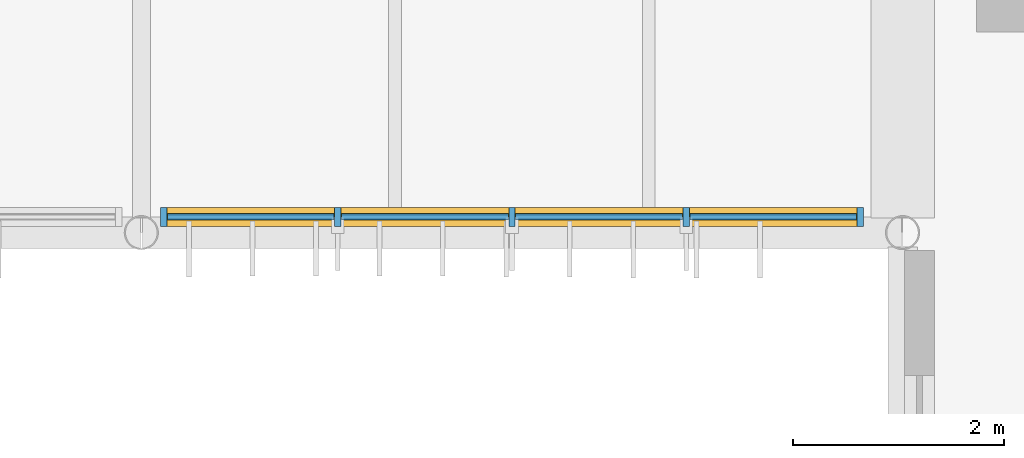
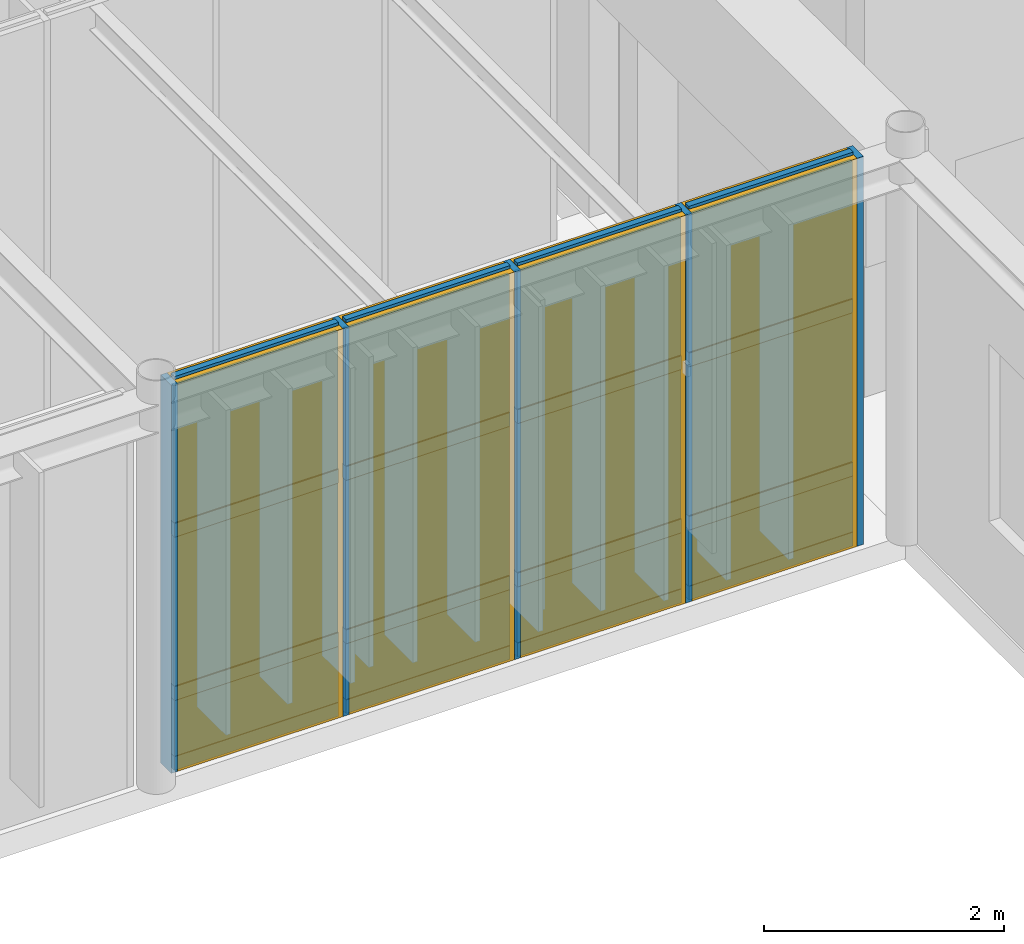
# One storey, part 76 of 122: 21 members, 12 plates, 1 curtain wall.
"""IFC4 building model written with IfcOpenShell, lengths in metres."""

import ifcopenshell
import ifcopenshell.guid

model = None  # the IFC model being written
_history = None  # IfcOwnerHistory: only IFC2X3 demands one
_inside = {}  # id of a spatial element -> (the spatial element, [elements in it])
_under = {}  # id of a project, library or spatial element -> (it, [spatial elements below it])
_declared = {}  # id of a project -> (the project, [libraries it declares])
_typed = {}  # id of a type object -> (the type object, [elements of that type])
_made_of = {}  # id of a material, layer set ... -> (it, [elements and type objects made of it])


def new_model(schema):
    """Start an empty IFC model of exactly this schema.

    Asked for "IFC4X3", IfcOpenShell would pick the latest addendum, in which some entities
    have other attributes; the version numbers below select the first issue.
    IFC2X3 requires an IfcOwnerHistory on every rooted entity: one is made here for all.
    """
    global model, _history
    if schema == "IFC4X3":
        model = ifcopenshell.file(schema_version=(4, 3, 0, 0))
    else:
        model = ifcopenshell.file(schema=schema)
    _inside.clear()
    _under.clear()
    _declared.clear()
    _typed.clear()
    _made_of.clear()
    _history = None
    if model.schema == "IFC2X3":
        org = make("IfcOrganization", Name="unknown")
        user = make(
            "IfcPersonAndOrganization",
            ThePerson=make("IfcPerson", FamilyName="unknown"),
            TheOrganization=org,
        )
        app = make(
            "IfcApplication",
            ApplicationDeveloper=org,
            Version="unknown",
            ApplicationFullName="unknown",
            ApplicationIdentifier="unknown",
        )
        _history = make(
            "IfcOwnerHistory",
            OwningUser=user,
            OwningApplication=app,
            ChangeAction="ADDED",
            CreationDate=0,
        )
    return model


def make(cls, **values):
    """One entity of the class cls with the attributes given. An attribute that is None is left unset."""
    return model.create_entity(
        cls, **{name: value for name, value in values.items() if value is not None}
    )


def rooted(cls, **values):
    """An entity with a GlobalId (a new one), such as an element, a storey or a relation."""
    return make(cls, GlobalId=ifcopenshell.guid.new(), OwnerHistory=_history, **values)


def si_unit(unit_type, name, prefix=None):
    """IfcSIUnit, for example si_unit("LENGTHUNIT", "METRE", prefix="MILLI")."""
    return make("IfcSIUnit", UnitType=unit_type, Prefix=prefix, Name=name)


def assignment(units):
    """IfcUnitAssignment: the units of a project."""
    return None if units is None else make("IfcUnitAssignment", Units=units)


def point(xyz):
    """IfcCartesianPoint."""
    return None if xyz is None else make("IfcCartesianPoint", Coordinates=xyz)


def direction(xyz):
    """IfcDirection."""
    return None if xyz is None else make("IfcDirection", DirectionRatios=xyz)


def frame(location, z_axis=None, x_axis=None):
    """IfcAxis2Placement3D, a coordinate frame: its origin and axes. An axis left out is left unset."""
    return make(
        "IfcAxis2Placement3D",
        Location=point(location),
        Axis=direction(z_axis),
        RefDirection=direction(x_axis),
    )


def frame_2d(location, x_axis=None):
    """IfcAxis2Placement2D, a coordinate frame in the plane: its origin and x axis."""
    return make(
        "IfcAxis2Placement2D", Location=point(location), RefDirection=direction(x_axis)
    )


def origin():
    """The frame at (0, 0, 0) with its axes left unset."""
    return frame((0.0, 0.0, 0.0))


def origin_2d():
    """The frame at (0, 0) in the plane with its x axis left unset."""
    return frame_2d((0.0, 0.0))


def place(relative_to, where):
    """IfcLocalPlacement: puts the frame where relative to a parent placement (None: the world)."""
    return make(
        "IfcLocalPlacement", PlacementRelTo=relative_to, RelativePlacement=where
    )


def context(
    kind, dimensions, precision=None, world=None, true_north=None, identifier=None
):
    """IfcGeometricRepresentationContext, for example the 3D "Model" context."""
    return make(
        "IfcGeometricRepresentationContext",
        ContextIdentifier=identifier,
        ContextType=kind,
        CoordinateSpaceDimension=dimensions,
        Precision=precision,
        WorldCoordinateSystem=world,
        TrueNorth=true_north,
    )


def subcontext(parent, identifier, kind, view, scale=None):
    """IfcGeometricRepresentationSubContext, for example "Body" below "Model"."""
    return make(
        "IfcGeometricRepresentationSubContext",
        ContextIdentifier=identifier,
        ContextType=kind,
        ParentContext=parent,
        TargetScale=scale,
        TargetView=view,
    )


def project(units=None, contexts=None):
    """IfcProject with its units and contexts."""
    return rooted(
        "IfcProject",
        Name="project",
        RepresentationContexts=contexts,
        UnitsInContext=assignment(units),
    )


def spatial(cls, under=None, at=None, **own):
    """A site, building, storey or space (cls), placed at a placement, below another one or the project."""
    s = rooted(cls, ObjectPlacement=at, **own)
    if under is not None:
        _under.setdefault(under.id(), (under, []))[1].append(s)
    return s


def profile(cls, at=None, kind="AREA", **sizes):
    """A parametric profile (cls). Its sizes go by their IFC names, for example OverallWidth=200.0."""
    return make(cls, ProfileType=kind, Position=at, **sizes)


def rectangle(**sizes):
    """IfcRectangleProfileDef."""
    return profile("IfcRectangleProfileDef", **sizes)


def extrude(swept, where, along, depth):
    """IfcExtrudedAreaSolid: the profile swept, set in the frame where, extruded along a direction by depth."""
    return make(
        "IfcExtrudedAreaSolid",
        SweptArea=swept,
        Position=where,
        ExtrudedDirection=direction(along),
        Depth=depth,
    )


def shape(context_of_items, identifier, shape_type, items):
    """IfcShapeRepresentation: the items that make up one representation, for example the "Body"."""
    return make(
        "IfcShapeRepresentation",
        ContextOfItems=context_of_items,
        RepresentationIdentifier=identifier,
        RepresentationType=shape_type,
        Items=items,
    )


def material(Name=None, Category=None):
    """IfcMaterial."""
    return make("IfcMaterial", Name=Name, Category=Category)


def layer(
    of_material, thickness, ventilated=None, Name=None, Category=None, Priority=None
):
    """IfcMaterialLayer: one layer of a wall or slab, of a material (None: an air gap)."""
    return make(
        "IfcMaterialLayer",
        Material=of_material,
        LayerThickness=thickness,
        IsVentilated=ventilated,
        Name=Name,
        Category=Category,
        Priority=Priority,
    )


def layer_set(layers, Name=None):
    """IfcMaterialLayerSet."""
    return make("IfcMaterialLayerSet", MaterialLayers=layers, LayerSetName=Name)


def material_profile(
    of_material, cross_section, Name=None, Category=None, Priority=None
):
    """IfcMaterialProfile: a cross section and its material."""
    return make(
        "IfcMaterialProfile",
        Name=Name,
        Material=of_material,
        Profile=cross_section,
        Priority=Priority,
        Category=Category,
    )


def profile_set(profiles, Name=None, composite=None):
    """IfcMaterialProfileSet."""
    return make(
        "IfcMaterialProfileSet",
        Name=Name,
        MaterialProfiles=profiles,
        CompositeProfile=composite,
    )


def made_of(thing, what):
    """Note that an element or type object is made of a material, layer set ...; save() writes the relation."""
    if what is not None:
        _made_of.setdefault(what.id(), (what, []))[1].append(thing)
    return thing


def type_object(cls, material=None, **own):
    """A type object (cls), such as IfcWallType, which elements share."""
    return made_of(rooted(cls, **own), material)


def element(
    cls,
    number,
    at=None,
    inside=None,
    cuts=None,
    type_object=None,
    material=None,
    context=None,
    identifier="Body",
    shape_type=None,
    held_by="IfcProductDefinitionShape",
    body=None,
    shapes=None,
    **own,
):
    """One element of the class cls, such as IfcWall. Its Tag is "e" and its number.

    at: its placement. inside: the storey or other place that contains it. cuts: it is an
    opening in that element (IfcRelVoidsElement). A single representation is given by context,
    identifier, shape_type and body (its items); several are given by shapes. held_by: the class
    of the entity that holds the representations. save() writes the other relations.
    """
    e = rooted(cls, Tag="e%d" % number, ObjectPlacement=at, **own)
    if body is not None:
        shapes = [shape(context, identifier, shape_type, body)]
    if shapes is not None:
        e.Representation = make(held_by, Representations=shapes)
    if inside is not None:
        _inside.setdefault(inside.id(), (inside, []))[1].append(e)
    if cuts is not None:
        rooted(
            "IfcRelVoidsElement", RelatingBuildingElement=cuts, RelatedOpeningElement=e
        )
    if type_object is not None:
        _typed.setdefault(type_object.id(), (type_object, []))[1].append(e)
    return made_of(e, material)


def aggregate(whole, parts):
    """IfcRelAggregates: a whole, such as a stair, and the parts it consists of."""
    return rooted("IfcRelAggregates", RelatingObject=whole, RelatedObjects=parts)


def save(model, path):
    """Write the relations noted so far, then the file.

    IfcRelAggregates (storeys below a building ...), IfcRelContainedInSpatialStructure (elements
    in a storey), IfcRelDefinesByType, IfcRelAssociatesMaterial and IfcRelDeclares: one each for
    every whole, place, type object, material and project.
    """
    for whole, parts in _under.values():
        aggregate(whole, parts)
    for where, things in _inside.values():
        rooted(
            "IfcRelContainedInSpatialStructure",
            RelatedElements=things,
            RelatingStructure=where,
        )
    for kind, things in _typed.values():
        rooted("IfcRelDefinesByType", RelatedObjects=things, RelatingType=kind)
    for what, things in _made_of.values():
        rooted("IfcRelAssociatesMaterial", RelatedObjects=things, RelatingMaterial=what)
    for by, libraries in _declared.values():
        rooted("IfcRelDeclares", RelatingContext=by, RelatedDefinitions=libraries)
    model.write(path)


model = new_model("IFC4")

# Units and contexts
model_context = context("Model", 3, precision=1e-05, world=origin(), true_north=direction((0.0, 1.0)))
body_context = subcontext(model_context, "Body", "Model", "MODEL_VIEW")
ifc_project = project(units=[si_unit("LENGTHUNIT", "METRE"), si_unit("AREAUNIT", "SQUARE_METRE"), si_unit("VOLUMEUNIT", "CUBIC_METRE"), si_unit("PLANEANGLEUNIT", "RADIAN"), si_unit("MASSUNIT", "GRAM", prefix="KILO")], contexts=[model_context])

# Member
ifc_material_1 = material(Name="Anodised Bronze Aluminium 6063-T6", Category="aluminium")
ifc_material_profile_1 = material_profile(ifc_material_1, rectangle(XDim=0.06005859375, YDim=0.179931640625, at=origin_2d()), Name="ALU MULLION 60x180")
ifc_profile_set_1 = profile_set([ifc_material_profile_1], Name="Anodised Bronze Aluminium 6063-T6")
member_type_1 = type_object("IfcMemberType", Name="Curtain-Wall Primary Mullion 60x180", PredefinedType="MULLION", material=ifc_profile_set_1)
site_placement = place(None, origin())
building_placement = place(site_placement, origin())
storey_placement = place(building_placement, frame((0.0, 0.0, 4.800048828125)))
member_1_placement = place(storey_placement, frame((50.612060546875, 44.75, 0.0), z_axis=(0.0, 0.0, 1.0), x_axis=(1.0, 0.0, 0.0)))
member_1 = element("IfcMember", 1, at=member_1_placement, type_object=member_type_1, Name="Mullion CWM-01 CW-WLNK-S-L01-B4-M01", PredefinedType="MULLION", context=body_context, shape_type="SweptSolid", body=[
    extrude(rectangle(XDim=0.06005859375, YDim=0.179931640625, at=origin_2d()), origin(), (0.0, 0.0, 1.0), 3.93994140625),
])

member_2_placement = place(storey_placement, frame((52.259033203125, 44.75, 0.0), z_axis=(0.0, 0.0, 1.0), x_axis=(1.0, 0.0, 0.0)))
member_2 = element("IfcMember", 2, at=member_2_placement, type_object=member_type_1, Name="Mullion CWM-01 CW-WLNK-S-L01-B4-M02", PredefinedType="MULLION", context=body_context, shape_type="SweptSolid", body=[
    extrude(rectangle(XDim=0.06005859375, YDim=0.179931640625, at=origin_2d()), origin(), (0.0, 0.0, 1.0), 3.93994140625),
])

member_3_placement = place(storey_placement, frame((53.906005859375, 44.75, 0.0), z_axis=(0.0, 0.0, 1.0), x_axis=(1.0, 0.0, 0.0)))
member_3 = element("IfcMember", 3, at=member_3_placement, type_object=member_type_1, Name="Mullion CWM-01 CW-WLNK-S-L01-B4-M03", PredefinedType="MULLION", context=body_context, shape_type="SweptSolid", body=[
    extrude(rectangle(XDim=0.06005859375, YDim=0.179931640625, at=origin_2d()), origin(), (0.0, 0.0, 1.0), 3.93994140625),
])

member_4_placement = place(storey_placement, frame((55.552978515625, 44.75, 0.0), z_axis=(0.0, 0.0, 1.0), x_axis=(1.0, 0.0, 0.0)))
member_4 = element("IfcMember", 4, at=member_4_placement, type_object=member_type_1, Name="Mullion CWM-01 CW-WLNK-S-L01-B4-M04", PredefinedType="MULLION", context=body_context, shape_type="SweptSolid", body=[
    extrude(rectangle(XDim=0.06005859375, YDim=0.179931640625, at=origin_2d()), origin(), (0.0, 0.0, 1.0), 3.93994140625),
])

member_5_placement = place(storey_placement, frame((57.199951171875, 44.75, 0.0), z_axis=(0.0, 0.0, 1.0), x_axis=(1.0, 0.0, 0.0)))
member_5 = element("IfcMember", 5, at=member_5_placement, type_object=member_type_1, Name="Mullion CWM-01 CW-WLNK-S-L01-B4-M05", PredefinedType="MULLION", context=body_context, shape_type="SweptSolid", body=[
    extrude(rectangle(XDim=0.06005859375, YDim=0.179931640625, at=origin_2d()), origin(), (0.0, 0.0, 1.0), 3.93994140625),
])

ifc_material_profile_2 = material_profile(ifc_material_1, rectangle(XDim=0.06005859375, YDim=0.139892578125, at=origin_2d()), Name="ALU TRANSOM 60x140")
ifc_profile_set_2 = profile_set([ifc_material_profile_2], Name="Anodised Bronze Aluminium 6063-T6")
member_type_2 = type_object("IfcMemberType", Name="Curtain-Wall Transom 60x140", PredefinedType="USERDEFINED", material=ifc_profile_set_2)
member_6_placement = place(storey_placement, frame((50.64697265625, 44.75, 0.0400390625), z_axis=(1.0, 0.0, 0.0), x_axis=(0.0, 1.0, 0.0)))
member_6 = element("IfcMember", 6, at=member_6_placement, type_object=member_type_2, Name="Transom CWT-01 CW-WLNK-S-L01-B4-T01.1", ObjectType="TRANSOM", PredefinedType="USERDEFINED", context=body_context, shape_type="SweptSolid", body=[
    extrude(rectangle(XDim=0.06005859375, YDim=0.139892578125, at=origin_2d()), origin(), (0.0, 0.0, 1.0), 1.5771484375),
])

member_7_placement = place(storey_placement, frame((50.64697265625, 44.75, 0.75), z_axis=(1.0, 0.0, 0.0), x_axis=(0.0, 1.0, 0.0)))
member_7 = element("IfcMember", 7, at=member_7_placement, type_object=member_type_2, Name="Transom CWT-01 CW-WLNK-S-L01-B4-T01.2", ObjectType="TRANSOM", PredefinedType="USERDEFINED", context=body_context, shape_type="SweptSolid", body=[
    extrude(rectangle(XDim=0.06005859375, YDim=0.139892578125, at=origin_2d()), origin(), (0.0, 0.0, 1.0), 1.5771484375),
])

member_8_placement = place(storey_placement, frame((50.64697265625, 44.75, 2.40869140625), z_axis=(1.0, 0.0, 0.0), x_axis=(0.0, 1.0, 0.0)))
member_8 = element("IfcMember", 8, at=member_8_placement, type_object=member_type_2, Name="Transom CWT-01 CW-WLNK-S-L01-B4-T01.3", ObjectType="TRANSOM", PredefinedType="USERDEFINED", context=body_context, shape_type="SweptSolid", body=[
    extrude(rectangle(XDim=0.06005859375, YDim=0.139892578125, at=origin_2d()), origin(), (0.0, 0.0, 1.0), 1.5771484375),
])

member_9_placement = place(storey_placement, frame((50.64697265625, 44.75, 3.89990234375), z_axis=(1.0, 0.0, 0.0), x_axis=(0.0, 1.0, 0.0)))
member_9 = element("IfcMember", 9, at=member_9_placement, type_object=member_type_2, Name="Transom CWT-01 CW-WLNK-S-L01-B4-T01.4", ObjectType="TRANSOM", PredefinedType="USERDEFINED", context=body_context, shape_type="SweptSolid", body=[
    extrude(rectangle(XDim=0.06005859375, YDim=0.139892578125, at=origin_2d()), origin(), (0.0, 0.0, 1.0), 1.5771484375),
])

member_10_placement = place(storey_placement, frame((52.2939453125, 44.75, 0.0400390625), z_axis=(1.0, 0.0, 0.0), x_axis=(0.0, 1.0, 0.0)))
member_10 = element("IfcMember", 10, at=member_10_placement, type_object=member_type_2, Name="Transom CWT-01 CW-WLNK-S-L01-B4-T02.1", ObjectType="TRANSOM", PredefinedType="USERDEFINED", context=body_context, shape_type="SweptSolid", body=[
    extrude(rectangle(XDim=0.06005859375, YDim=0.139892578125, at=origin_2d()), origin(), (0.0, 0.0, 1.0), 1.5771484375),
])

member_11_placement = place(storey_placement, frame((52.2939453125, 44.75, 0.75), z_axis=(1.0, 0.0, 0.0), x_axis=(0.0, 1.0, 0.0)))
member_11 = element("IfcMember", 11, at=member_11_placement, type_object=member_type_2, Name="Transom CWT-01 CW-WLNK-S-L01-B4-T02.2", ObjectType="TRANSOM", PredefinedType="USERDEFINED", context=body_context, shape_type="SweptSolid", body=[
    extrude(rectangle(XDim=0.06005859375, YDim=0.139892578125, at=origin_2d()), origin(), (0.0, 0.0, 1.0), 1.5771484375),
])

member_12_placement = place(storey_placement, frame((52.2939453125, 44.75, 2.40869140625), z_axis=(1.0, 0.0, 0.0), x_axis=(0.0, 1.0, 0.0)))
member_12 = element("IfcMember", 12, at=member_12_placement, type_object=member_type_2, Name="Transom CWT-01 CW-WLNK-S-L01-B4-T02.3", ObjectType="TRANSOM", PredefinedType="USERDEFINED", context=body_context, shape_type="SweptSolid", body=[
    extrude(rectangle(XDim=0.06005859375, YDim=0.139892578125, at=origin_2d()), origin(), (0.0, 0.0, 1.0), 1.5771484375),
])

member_13_placement = place(storey_placement, frame((52.2939453125, 44.75, 3.89990234375), z_axis=(1.0, 0.0, 0.0), x_axis=(0.0, 1.0, 0.0)))
member_13 = element("IfcMember", 13, at=member_13_placement, type_object=member_type_2, Name="Transom CWT-01 CW-WLNK-S-L01-B4-T02.4", ObjectType="TRANSOM", PredefinedType="USERDEFINED", context=body_context, shape_type="SweptSolid", body=[
    extrude(rectangle(XDim=0.06005859375, YDim=0.139892578125, at=origin_2d()), origin(), (0.0, 0.0, 1.0), 1.5771484375),
])

member_14_placement = place(storey_placement, frame((53.94091796875, 44.75, 0.0400390625), z_axis=(1.0, 0.0, 0.0), x_axis=(0.0, 1.0, 0.0)))
member_14 = element("IfcMember", 14, at=member_14_placement, type_object=member_type_2, Name="Transom CWT-01 CW-WLNK-S-L01-B4-T03.1", ObjectType="TRANSOM", PredefinedType="USERDEFINED", context=body_context, shape_type="SweptSolid", body=[
    extrude(rectangle(XDim=0.06005859375, YDim=0.139892578125, at=origin_2d()), origin(), (0.0, 0.0, 1.0), 1.5771484375),
])

member_15_placement = place(storey_placement, frame((53.94091796875, 44.75, 0.75), z_axis=(1.0, 0.0, 0.0), x_axis=(0.0, 1.0, 0.0)))
member_15 = element("IfcMember", 15, at=member_15_placement, type_object=member_type_2, Name="Transom CWT-01 CW-WLNK-S-L01-B4-T03.2", ObjectType="TRANSOM", PredefinedType="USERDEFINED", context=body_context, shape_type="SweptSolid", body=[
    extrude(rectangle(XDim=0.06005859375, YDim=0.139892578125, at=origin_2d()), origin(), (0.0, 0.0, 1.0), 1.5771484375),
])

member_16_placement = place(storey_placement, frame((53.94091796875, 44.75, 2.40869140625), z_axis=(1.0, 0.0, 0.0), x_axis=(0.0, 1.0, 0.0)))
member_16 = element("IfcMember", 16, at=member_16_placement, type_object=member_type_2, Name="Transom CWT-01 CW-WLNK-S-L01-B4-T03.3", ObjectType="TRANSOM", PredefinedType="USERDEFINED", context=body_context, shape_type="SweptSolid", body=[
    extrude(rectangle(XDim=0.06005859375, YDim=0.139892578125, at=origin_2d()), origin(), (0.0, 0.0, 1.0), 1.5771484375),
])

member_17_placement = place(storey_placement, frame((53.94091796875, 44.75, 3.89990234375), z_axis=(1.0, 0.0, 0.0), x_axis=(0.0, 1.0, 0.0)))
member_17 = element("IfcMember", 17, at=member_17_placement, type_object=member_type_2, Name="Transom CWT-01 CW-WLNK-S-L01-B4-T03.4", ObjectType="TRANSOM", PredefinedType="USERDEFINED", context=body_context, shape_type="SweptSolid", body=[
    extrude(rectangle(XDim=0.06005859375, YDim=0.139892578125, at=origin_2d()), origin(), (0.0, 0.0, 1.0), 1.5771484375),
])

member_18_placement = place(storey_placement, frame((55.587890625, 44.75, 0.0400390625), z_axis=(1.0, 0.0, 0.0), x_axis=(0.0, 1.0, 0.0)))
member_18 = element("IfcMember", 18, at=member_18_placement, type_object=member_type_2, Name="Transom CWT-01 CW-WLNK-S-L01-B4-T04.1", ObjectType="TRANSOM", PredefinedType="USERDEFINED", context=body_context, shape_type="SweptSolid", body=[
    extrude(rectangle(XDim=0.06005859375, YDim=0.139892578125, at=origin_2d()), origin(), (0.0, 0.0, 1.0), 1.5771484375),
])

member_19_placement = place(storey_placement, frame((55.587890625, 44.75, 0.75), z_axis=(1.0, 0.0, 0.0), x_axis=(0.0, 1.0, 0.0)))
member_19 = element("IfcMember", 19, at=member_19_placement, type_object=member_type_2, Name="Transom CWT-01 CW-WLNK-S-L01-B4-T04.2", ObjectType="TRANSOM", PredefinedType="USERDEFINED", context=body_context, shape_type="SweptSolid", body=[
    extrude(rectangle(XDim=0.06005859375, YDim=0.139892578125, at=origin_2d()), origin(), (0.0, 0.0, 1.0), 1.5771484375),
])

member_20_placement = place(storey_placement, frame((55.587890625, 44.75, 2.40869140625), z_axis=(1.0, 0.0, 0.0), x_axis=(0.0, 1.0, 0.0)))
member_20 = element("IfcMember", 20, at=member_20_placement, type_object=member_type_2, Name="Transom CWT-01 CW-WLNK-S-L01-B4-T04.3", ObjectType="TRANSOM", PredefinedType="USERDEFINED", context=body_context, shape_type="SweptSolid", body=[
    extrude(rectangle(XDim=0.06005859375, YDim=0.139892578125, at=origin_2d()), origin(), (0.0, 0.0, 1.0), 1.5771484375),
])

member_21_placement = place(storey_placement, frame((55.587890625, 44.75, 3.89990234375), z_axis=(1.0, 0.0, 0.0), x_axis=(0.0, 1.0, 0.0)))
member_21 = element("IfcMember", 21, at=member_21_placement, type_object=member_type_2, Name="Transom CWT-01 CW-WLNK-S-L01-B4-T04.4", ObjectType="TRANSOM", PredefinedType="USERDEFINED", context=body_context, shape_type="SweptSolid", body=[
    extrude(rectangle(XDim=0.06005859375, YDim=0.139892578125, at=origin_2d()), origin(), (0.0, 0.0, 1.0), 1.5771484375),
])

# Plate
ifc_material_2 = material(Name="Insulated Bronze Aluminium Spandrel Panel", Category="aluminium")
ifc_layer_1 = layer(ifc_material_2, 0.050048828125, Name="Insulated Bronze Aluminium Spandrel Panel")
ifc_layer_set_1 = layer_set([ifc_layer_1], Name="Insulated Bronze Aluminium Spandrel Panel")
plate_type_1 = type_object("IfcPlateType", Name="Insulated Anodised Aluminium Spandrel Cassette 50", PredefinedType="CURTAIN_PANEL", material=ifc_layer_set_1)
plate_1_placement = place(storey_placement, frame((51.435546875, 44.75, 0.070068359375), z_axis=(0.0, 0.0, 1.0), x_axis=(1.0, 0.0, 0.0)))
plate_1 = element("IfcPlate", 22, at=plate_1_placement, type_object=plate_type_1, Name="Curtain Panel CWP-03 CW-WLNK-S-L01-B4-P01.1", PredefinedType="CURTAIN_PANEL", context=body_context, shape_type="SweptSolid", body=[
    extrude(rectangle(XDim=1.576904296875, YDim=0.050048828125, at=origin_2d()), origin(), (0.0, 0.0, 1.0), 0.64990234375),
])

plate_2_placement = place(storey_placement, frame((53.08251953125, 44.75, 0.070068359375), z_axis=(0.0, 0.0, 1.0), x_axis=(1.0, 0.0, 0.0)))
plate_2 = element("IfcPlate", 23, at=plate_2_placement, type_object=plate_type_1, Name="Curtain Panel CWP-03 CW-WLNK-S-L01-B4-P02.1", PredefinedType="CURTAIN_PANEL", context=body_context, shape_type="SweptSolid", body=[
    extrude(rectangle(XDim=1.576904296875, YDim=0.050048828125, at=origin_2d()), origin(), (0.0, 0.0, 1.0), 0.64990234375),
])

plate_3_placement = place(storey_placement, frame((54.7294921875, 44.75, 0.070068359375), z_axis=(0.0, 0.0, 1.0), x_axis=(1.0, 0.0, 0.0)))
plate_3 = element("IfcPlate", 24, at=plate_3_placement, type_object=plate_type_1, Name="Curtain Panel CWP-03 CW-WLNK-S-L01-B4-P03.1", PredefinedType="CURTAIN_PANEL", context=body_context, shape_type="SweptSolid", body=[
    extrude(rectangle(XDim=1.576904296875, YDim=0.050048828125, at=origin_2d()), origin(), (0.0, 0.0, 1.0), 0.64990234375),
])

plate_4_placement = place(storey_placement, frame((56.37646484375, 44.75, 0.070068359375), z_axis=(0.0, 0.0, 1.0), x_axis=(1.0, 0.0, 0.0)))
plate_4 = element("IfcPlate", 25, at=plate_4_placement, type_object=plate_type_1, Name="Curtain Panel CWP-03 CW-WLNK-S-L01-B4-P04.1", PredefinedType="CURTAIN_PANEL", context=body_context, shape_type="SweptSolid", body=[
    extrude(rectangle(XDim=1.576904296875, YDim=0.050048828125, at=origin_2d()), origin(), (0.0, 0.0, 1.0), 0.64990234375),
])

ifc_material_3 = material(Name="Solar-Control Tempered Double Glazing", Category="glass")
ifc_layer_2 = layer(ifc_material_3, 0.0380859375, Name="Solar-Control Tempered Double Glazing")
ifc_layer_set_2 = layer_set([ifc_layer_2], Name="Solar-Control Tempered Double Glazing")
plate_type_2 = type_object("IfcPlateType", Name="Solar-Control Vision Glazing Unit 38", PredefinedType="CURTAIN_PANEL", material=ifc_layer_set_2)
plate_5_placement = place(storey_placement, frame((51.435546875, 44.75, 0.77978515625), z_axis=(0.0, 0.0, 1.0), x_axis=(1.0, 0.0, 0.0)))
plate_5 = element("IfcPlate", 26, at=plate_5_placement, type_object=plate_type_2, Name="Curtain Panel CWP-02 CW-WLNK-S-L01-B4-P01.2", PredefinedType="CURTAIN_PANEL", context=body_context, shape_type="SweptSolid", body=[
    extrude(rectangle(XDim=1.576904296875, YDim=0.0380859375, at=origin_2d()), origin(), (0.0, 0.0, 1.0), 1.598876953125),
])

plate_6_placement = place(storey_placement, frame((51.435546875, 44.75, 2.438720703125), z_axis=(0.0, 0.0, 1.0), x_axis=(1.0, 0.0, 0.0)))
plate_6 = element("IfcPlate", 27, at=plate_6_placement, type_object=plate_type_2, Name="Curtain Panel CWP-02 CW-WLNK-S-L01-B4-P01.3", PredefinedType="CURTAIN_PANEL", context=body_context, shape_type="SweptSolid", body=[
    extrude(rectangle(XDim=1.576904296875, YDim=0.0380859375, at=origin_2d()), origin(), (0.0, 0.0, 1.0), 1.43115234375),
])

plate_7_placement = place(storey_placement, frame((53.08251953125, 44.75, 0.77978515625), z_axis=(0.0, 0.0, 1.0), x_axis=(1.0, 0.0, 0.0)))
plate_7 = element("IfcPlate", 28, at=plate_7_placement, type_object=plate_type_2, Name="Curtain Panel CWP-02 CW-WLNK-S-L01-B4-P02.2", PredefinedType="CURTAIN_PANEL", context=body_context, shape_type="SweptSolid", body=[
    extrude(rectangle(XDim=1.576904296875, YDim=0.0380859375, at=origin_2d()), origin(), (0.0, 0.0, 1.0), 1.598876953125),
])

plate_8_placement = place(storey_placement, frame((53.08251953125, 44.75, 2.438720703125), z_axis=(0.0, 0.0, 1.0), x_axis=(1.0, 0.0, 0.0)))
plate_8 = element("IfcPlate", 29, at=plate_8_placement, type_object=plate_type_2, Name="Curtain Panel CWP-02 CW-WLNK-S-L01-B4-P02.3", PredefinedType="CURTAIN_PANEL", context=body_context, shape_type="SweptSolid", body=[
    extrude(rectangle(XDim=1.576904296875, YDim=0.0380859375, at=origin_2d()), origin(), (0.0, 0.0, 1.0), 1.43115234375),
])

plate_9_placement = place(storey_placement, frame((54.7294921875, 44.75, 0.77978515625), z_axis=(0.0, 0.0, 1.0), x_axis=(1.0, 0.0, 0.0)))
plate_9 = element("IfcPlate", 30, at=plate_9_placement, type_object=plate_type_2, Name="Curtain Panel CWP-02 CW-WLNK-S-L01-B4-P03.2", PredefinedType="CURTAIN_PANEL", context=body_context, shape_type="SweptSolid", body=[
    extrude(rectangle(XDim=1.576904296875, YDim=0.0380859375, at=origin_2d()), origin(), (0.0, 0.0, 1.0), 1.598876953125),
])

plate_10_placement = place(storey_placement, frame((54.7294921875, 44.75, 2.438720703125), z_axis=(0.0, 0.0, 1.0), x_axis=(1.0, 0.0, 0.0)))
plate_10 = element("IfcPlate", 31, at=plate_10_placement, type_object=plate_type_2, Name="Curtain Panel CWP-02 CW-WLNK-S-L01-B4-P03.3", PredefinedType="CURTAIN_PANEL", context=body_context, shape_type="SweptSolid", body=[
    extrude(rectangle(XDim=1.576904296875, YDim=0.0380859375, at=origin_2d()), origin(), (0.0, 0.0, 1.0), 1.43115234375),
])

plate_11_placement = place(storey_placement, frame((56.37646484375, 44.75, 0.77978515625), z_axis=(0.0, 0.0, 1.0), x_axis=(1.0, 0.0, 0.0)))
plate_11 = element("IfcPlate", 32, at=plate_11_placement, type_object=plate_type_2, Name="Curtain Panel CWP-02 CW-WLNK-S-L01-B4-P04.2", PredefinedType="CURTAIN_PANEL", context=body_context, shape_type="SweptSolid", body=[
    extrude(rectangle(XDim=1.576904296875, YDim=0.0380859375, at=origin_2d()), origin(), (0.0, 0.0, 1.0), 1.598876953125),
])

plate_12_placement = place(storey_placement, frame((56.37646484375, 44.75, 2.438720703125), z_axis=(0.0, 0.0, 1.0), x_axis=(1.0, 0.0, 0.0)))
plate_12 = element("IfcPlate", 33, at=plate_12_placement, type_object=plate_type_2, Name="Curtain Panel CWP-02 CW-WLNK-S-L01-B4-P04.3", PredefinedType="CURTAIN_PANEL", context=body_context, shape_type="SweptSolid", body=[
    extrude(rectangle(XDim=1.576904296875, YDim=0.0380859375, at=origin_2d()), origin(), (0.0, 0.0, 1.0), 1.43115234375),
])

# Site, building, storey
site = spatial("IfcSite", under=ifc_project, at=site_placement, CompositionType="ELEMENT")
building = spatial("IfcBuilding", under=site, at=building_placement, Name="Tazoul Stagehouse", CompositionType="ELEMENT")
storey = spatial("IfcBuildingStorey", under=building, at=storey_placement, Name="L01", CompositionType="ELEMENT", Elevation=4.800048828125)

# Curtain wall
curtain_wall_type = type_object("IfcCurtainWallType", Name="Foyer Clear Solar-Control Curtain Wall", PredefinedType="NOTDEFINED", material=ifc_material_1)
curtain_wall_placement = place(storey_placement, frame((50.612060546875, 44.75, 0.0), z_axis=(0.0, 0.0, 1.0), x_axis=(1.0, 0.0, 0.0)))
curtain_wall = element("IfcCurtainWall", 34, at=curtain_wall_placement, inside=storey, type_object=curtain_wall_type, Name="L01 Curtain Wall CW-02 (CW-WLNK-S-L01-B4)", PredefinedType="NOTDEFINED", context=body_context, shape_type="SweptSolid", body=[
    extrude(rectangle(XDim=6.587890625, YDim=0.179931640625, at=frame_2d((3.2939453125, 0.0))), origin(), (0.0, 0.0, 1.0), 3.93994140625),
])

aggregate(curtain_wall, [member_1, member_2, member_3, member_4, member_5, member_6, member_7, member_8, member_9, plate_1, plate_5, plate_6, member_10, member_11, member_12, member_13, plate_2, plate_7, plate_8, member_14, member_15, member_16, member_17, plate_3, plate_9, plate_10, member_18, member_19, member_20, member_21, plate_4, plate_11, plate_12])

save(model, "model.ifc")
